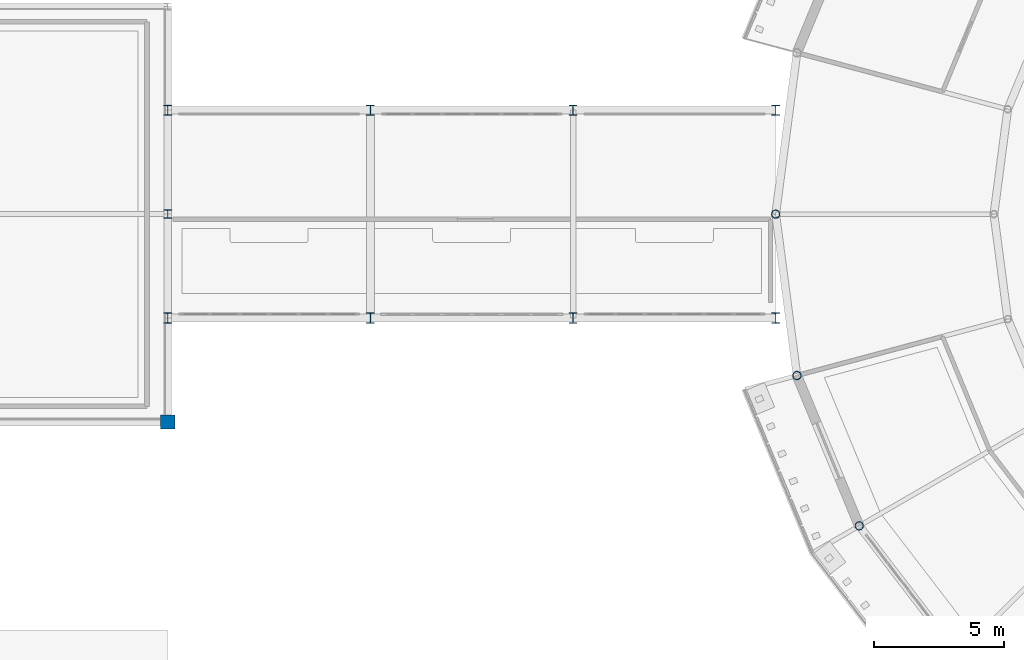
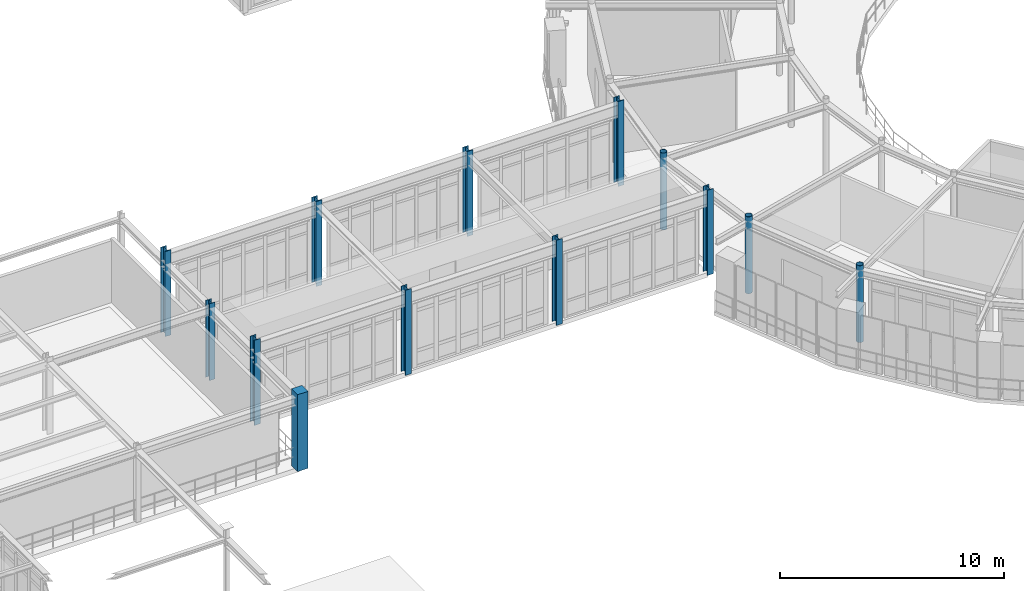
# One storey, part 5 of 90: 13 columns.
"""IFC4 building model written with IfcOpenShell, lengths in metres."""

from ifc_helpers import new_model, si_unit, derived_unit, direction, frame, origin, origin_2d, place, context, subcontext, project, spatial, rectangle, hollow_circle, i_section, extrude, material, material_profile, profile_set, type_object, element, save


model = new_model("IFC4")

# Units and contexts
model_context = context("Model", 3, precision=1e-05, world=origin(), true_north=direction((0.0, 1.0)))
body_context = subcontext(model_context, "Body", "Model", "MODEL_VIEW")
ifc_project = project(units=[si_unit("LENGTHUNIT", "METRE"), si_unit("AREAUNIT", "SQUARE_METRE"), si_unit("VOLUMEUNIT", "CUBIC_METRE"), si_unit("PLANEANGLEUNIT", "RADIAN"), si_unit("MASSUNIT", "GRAM", prefix="KILO"), derived_unit("THERMALTRANSMITTANCEUNIT", [(si_unit("POWERUNIT", "WATT"), 1), (si_unit("AREAUNIT", "SQUARE_METRE"), -1), (si_unit("THERMODYNAMICTEMPERATUREUNIT", "KELVIN"), -1)])], contexts=[model_context])

# Site, building, storey
site_placement = place(None, origin())
site = spatial("IfcSite", under=ifc_project, at=site_placement, CompositionType="ELEMENT")
building_placement = place(site_placement, origin())
building = spatial("IfcBuilding", under=site, at=building_placement, Name="Yasenodar Specialist Clinic", CompositionType="ELEMENT")
storey_placement = place(building_placement, frame((0.0, 0.0, 9.0)))
storey = spatial("IfcBuildingStorey", under=building, at=storey_placement, Name="L02", CompositionType="ELEMENT", Elevation=9.0)

# Columns
ifc_material_1 = material(Name="Concrete C35/45", Category="concrete")
ifc_material_profile_1 = material_profile(ifc_material_1, rectangle(XDim=0.550048828125, YDim=0.550048828125, at=origin_2d()), Name="RC 550x550")
ifc_profile_set_1 = profile_set([ifc_material_profile_1], Name="Concrete C35/45")
column_type_1 = type_object("IfcColumnType", Name="COL-RC-550", PredefinedType="COLUMN", material=ifc_profile_set_1)
column_1_placement = place(storey_placement, frame((33.60009765625, 50.800048828125, 0.0), z_axis=(0.0, 0.0, 1.0), x_axis=(1.0, 0.0, 0.0)))
element("IfcColumn", 1, at=column_1_placement, inside=storey, type_object=column_type_1, Name="L02 Column V4-064", PredefinedType="COLUMN", context=body_context, shape_type="SweptSolid", body=[
    extrude(rectangle(XDim=0.550048828125, YDim=0.550048828125, at=origin_2d()), origin(), (0.0, 0.0, 1.0), 4.199951171875),
])
ifc_material_2 = material(Name="Steel S355", Category="steel")
ifc_material_profile_2 = material_profile(ifc_material_2, hollow_circle(Radius=0.161865234375, WallThickness=0.01611328125, at=origin_2d()), Name="CHS 323.9x16")
ifc_profile_set_2 = profile_set([ifc_material_profile_2], Name="Steel S355")
column_type_2 = type_object("IfcColumnType", Name="COL-ST-CHS324", PredefinedType="COLUMN", material=ifc_profile_set_2)
for number, where, z_axis, x_axis, name in (
    (2, (57.0, 58.800048828125, 0.0), (0.0, 0.0, 1.0), (1.0, 0.0, 0.0), "L02 Drum V1 Outer Column 13"),
    (3, (57.81787109375, 52.58837890625, 0.0), (0.0, 0.0, 1.0), (1.0, 0.0, 0.0), "L02 Drum V1 Outer Column 14"),
    (4, (60.21533203125, 46.800048828125, 0.0), (0.0, 0.0, 1.0), (1.0, 0.0, 0.0), "L02 Drum V1 Outer Column 15"),
):
    element("IfcColumn", number, at=place(storey_placement, frame(where, z_axis=z_axis, x_axis=x_axis)), inside=storey, type_object=column_type_2, Name=name, PredefinedType="COLUMN", context=body_context, shape_type="SweptSolid", body=[
        extrude(hollow_circle(Radius=0.161865234375, WallThickness=0.01611328125, at=origin_2d()), origin(), (0.0, 0.0, 1.0), 4.199951171875),
    ])
ifc_material_profile_3 = material_profile(ifc_material_2, i_section(OverallWidth=0.300048828125, OverallDepth=0.330078125, WebThickness=0.009521484375, FlangeThickness=0.0166015625, FilletRadius=0.027099609375, at=origin_2d()), Name="HEA 340")
ifc_profile_set_3 = profile_set([ifc_material_profile_3], Name="Steel S355")
column_type_3 = type_object("IfcColumnType", Name="COL-ST-HEA340", PredefinedType="COLUMN", material=ifc_profile_set_3)
column_2_placement = place(storey_placement, frame((33.60009765625, 58.800048828125, 0.0), z_axis=(0.0, 0.0, 1.0), x_axis=(1.0, 0.0, 0.0)))
element("IfcColumn", 5, at=column_2_placement, inside=storey, type_object=column_type_3, Name="L02 Column V4-066", PredefinedType="COLUMN", context=body_context, shape_type="SweptSolid", body=[
    extrude(i_section(OverallWidth=0.300048828125, OverallDepth=0.330078125, WebThickness=0.009521484375, FlangeThickness=0.0166015625, FilletRadius=0.027099609375, at=origin_2d()), origin(), (0.0, 0.0, 1.0), 4.199951171875),
])
ifc_material_profile_4 = material_profile(ifc_material_2, i_section(OverallWidth=0.300048828125, OverallDepth=0.39990234375, WebThickness=0.013427734375, FlangeThickness=0.02392578125, FilletRadius=0.027099609375, at=origin_2d()), Name="HEB 400")
ifc_profile_set_4 = profile_set([ifc_material_profile_4], Name="Steel S355")
column_type_4 = type_object("IfcColumnType", Name="COL-ST-HEB400", PredefinedType="COLUMN", material=ifc_profile_set_4)
for number, where, z_axis, x_axis, name in (
    (6, (33.60009765625, 54.800048828125, 0.0), (0.0, 0.0, 1.0), (1.0, 0.0, 0.0), "L02 Column V6-065"),
    (7, (33.60009765625, 62.800048828125, 0.0), (0.0, 0.0, 1.0), (1.0, 0.0, 0.0), "L02 Column V6-067"),
    (8, (41.39990234375, 54.800048828125, 0.0), (0.0, 0.0, 1.0), (1.0, 0.0, 0.0), "L02 Column V6-074"),
    (9, (41.39990234375, 62.800048828125, 0.0), (0.0, 0.0, 1.0), (1.0, 0.0, 0.0), "L02 Column V6-075"),
    (10, (49.199951171875, 54.800048828125, 0.0), (0.0, 0.0, 1.0), (1.0, 0.0, 0.0), "L02 Column V6-079"),
    (11, (49.199951171875, 62.800048828125, 0.0), (0.0, 0.0, 1.0), (1.0, 0.0, 0.0), "L02 Column V6-080"),
    (12, (57.0, 54.800048828125, 0.0), (0.0, 0.0, 1.0), (1.0, 0.0, 0.0), "L02 Column V6-086"),
    (13, (57.0, 62.800048828125, 0.0), (0.0, 0.0, 1.0), (1.0, 0.0, 0.0), "L02 Column V6-087"),
):
    element("IfcColumn", number, at=place(storey_placement, frame(where, z_axis=z_axis, x_axis=x_axis)), inside=storey, type_object=column_type_4, Name=name, PredefinedType="COLUMN", context=body_context, shape_type="SweptSolid", body=[
        extrude(i_section(OverallWidth=0.300048828125, OverallDepth=0.39990234375, WebThickness=0.013427734375, FlangeThickness=0.02392578125, FilletRadius=0.027099609375, at=origin_2d()), origin(), (0.0, 0.0, 1.0), 4.64990234375),
    ])

save(model, "model.ifc")
